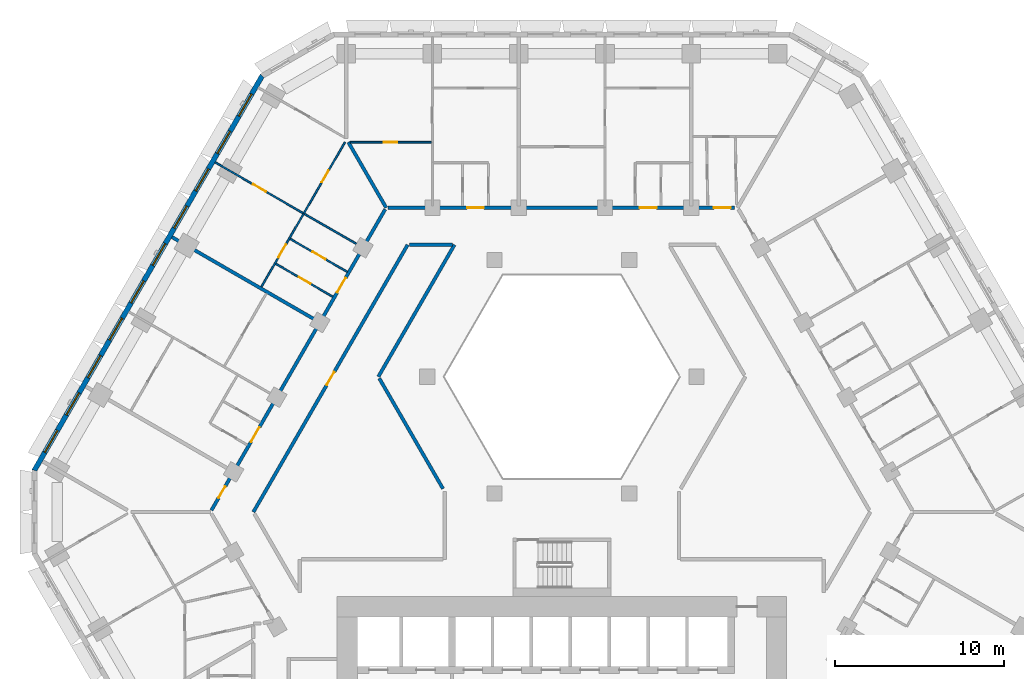
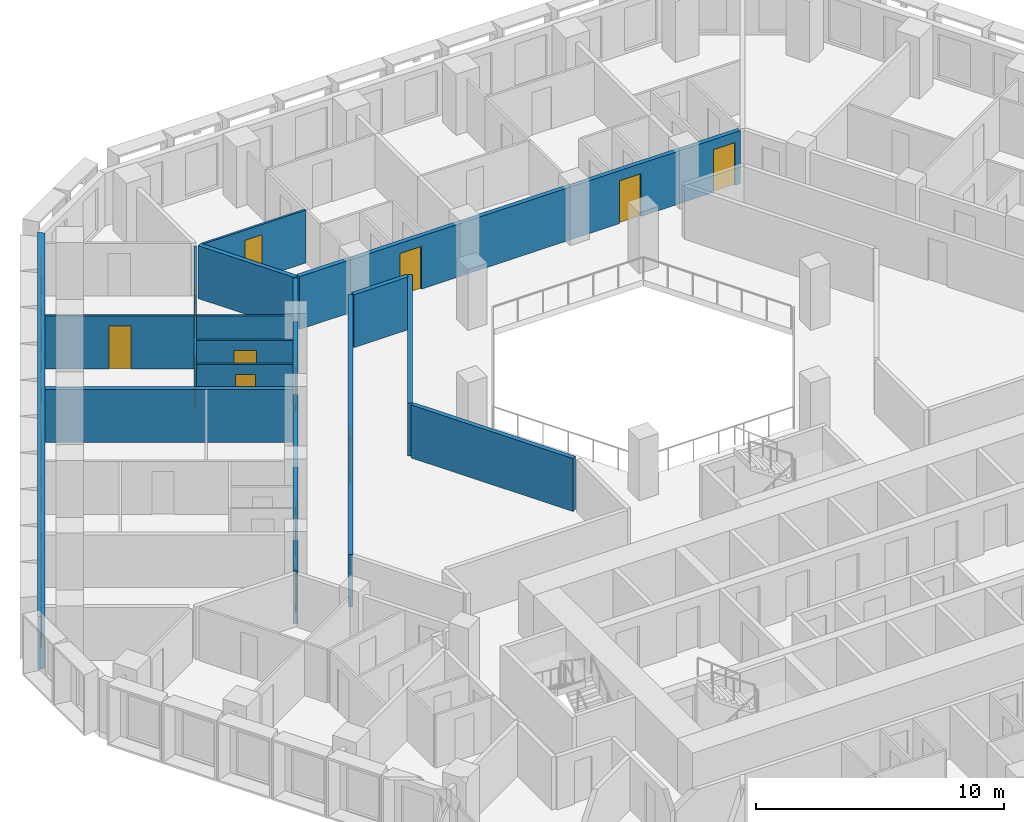
# One storey, part 9 of 21: 15 walls, 13 doors, 10 windows, 23 openings.
"""IFC4 building model written with IfcOpenShell, lengths in metres."""

from ifc_helpers import new_model, si_unit, direction, frame, frame_2d, origin, place, context, subcontext, project, spatial, polyline, rectangle, outline, extrude, material, layer, layer_set, type_object, element, fill, save


model = new_model("IFC4")

# Units and contexts
model_context = context("Model", 3, precision=1e-05, world=origin(), true_north=direction((0.0, 1.0)))
body_context = subcontext(model_context, "Body", "Model", "MODEL_VIEW")
ifc_project = project(units=[si_unit("LENGTHUNIT", "METRE"), si_unit("AREAUNIT", "SQUARE_METRE"), si_unit("VOLUMEUNIT", "CUBIC_METRE"), si_unit("PLANEANGLEUNIT", "RADIAN"), si_unit("MASSUNIT", "GRAM", prefix="KILO")], contexts=[model_context])

# Site, building, storey
site_placement = place(None, origin())
site = spatial("IfcSite", under=ifc_project, at=site_placement, CompositionType="ELEMENT")
building_placement = place(site_placement, origin())
building = spatial("IfcBuilding", under=site, at=building_placement, Name="Beryl Residences", CompositionType="ELEMENT")
storey_placement = place(building_placement, frame((0.0, 0.0, 59.39990234375)))
storey = spatial("IfcBuildingStorey", under=building, at=storey_placement, Name="L18", CompositionType="ELEMENT", Elevation=59.39990234375)

# Wall, openings, windows
ifc_material_1 = material(Name="Composite metal panel with mineral wool insulation")
ifc_layer_1 = layer(ifc_material_1, 0.300048828125)
ifc_layer_set_1 = layer_set([ifc_layer_1], Name="ES1 pale metal composite panel wall 300 mm")
wall_type_1 = type_object("IfcWallType", Name="ES1 pale metal composite panel wall 300 mm", PredefinedType="SOLIDWALL", material=ifc_layer_set_1)
wall_1_placement = place(storey_placement, frame((-17.7099609375, 25.824951171875, 0.0), z_axis=(0.0, 0.0, 1.0), x_axis=(-0.500001938803, -0.866024284413, 0.0)))
wall_1 = element("IfcWall", 1, at=wall_1_placement, inside=storey, type_object=wall_type_1, Name="ES1 external wall L18 NW", PredefinedType="SOLIDWALL", context=body_context, shape_type="SweptSolid", body=[
    extrude(outline(polyline([(0.0, -0.14990234375), (27.02001953125, -0.14990234375), (26.939697265625, 0.14990234375), (0.080322265625, 0.14990234375), (0.0, -0.14990234375)])), origin(), (0.0, 0.0, 1.0), 2.60009765625),
])
opening_1_placement = place(wall_1_placement, frame((1.277099609375, 0.0, 0.14990234375)))
opening_1 = element("IfcOpeningElement", 2, at=opening_1_placement, cuts=wall_1, Name="Opening W1", PredefinedType="OPENING", context=body_context, shape_type="SweptSolid", body=[
    extrude(rectangle(XDim=1.5, YDim=2.10009765625, at=frame_2d((0.75, 1.050048828125))), frame((0.0, 0.159912109375, 0.0), z_axis=(0.0, -1.0, 0.0), x_axis=(1.0, 0.0, 0.0)), (0.0, 0.0, 1.0), 0.320068359375),
])
opening_2_placement = place(wall_1_placement, frame((3.8291015625, 0.0, 0.14990234375)))
opening_2 = element("IfcOpeningElement", 3, at=opening_2_placement, cuts=wall_1, Name="Opening W1", PredefinedType="OPENING", context=body_context, shape_type="SweptSolid", body=[
    extrude(rectangle(XDim=1.5, YDim=2.10009765625, at=frame_2d((0.75, 1.050048828125))), frame((0.0, 0.159912109375, 0.0), z_axis=(0.0, -1.0, 0.0), x_axis=(1.0, 0.0, 0.0)), (0.0, 0.0, 1.0), 0.320068359375),
])
opening_3_placement = place(wall_1_placement, frame((6.382080078125, 0.0, 0.14990234375)))
opening_3 = element("IfcOpeningElement", 4, at=opening_3_placement, cuts=wall_1, Name="Opening W1", PredefinedType="OPENING", context=body_context, shape_type="SweptSolid", body=[
    extrude(rectangle(XDim=1.5, YDim=2.10009765625, at=frame_2d((0.75, 1.050048828125))), frame((0.0, 0.159912109375, 0.0), z_axis=(0.0, -1.0, 0.0), x_axis=(1.0, 0.0, 0.0)), (0.0, 0.0, 1.0), 0.320068359375),
])
opening_4_placement = place(wall_1_placement, frame((8.93310546875, 0.0, 0.14990234375)))
opening_4 = element("IfcOpeningElement", 5, at=opening_4_placement, cuts=wall_1, Name="Opening W1", PredefinedType="OPENING", context=body_context, shape_type="SweptSolid", body=[
    extrude(rectangle(XDim=1.5, YDim=2.10009765625, at=frame_2d((0.75, 1.050048828125))), frame((0.0, 0.159912109375, 0.0), z_axis=(0.0, -1.0, 0.0), x_axis=(1.0, 0.0, 0.0)), (0.0, 0.0, 1.0), 0.320068359375),
])
opening_5_placement = place(wall_1_placement, frame((11.485107421875, 0.0, 0.14990234375)))
opening_5 = element("IfcOpeningElement", 6, at=opening_5_placement, cuts=wall_1, Name="Opening W1", PredefinedType="OPENING", context=body_context, shape_type="SweptSolid", body=[
    extrude(rectangle(XDim=1.5, YDim=2.10009765625, at=frame_2d((0.75, 1.050048828125))), frame((0.0, 0.159912109375, 0.0), z_axis=(0.0, -1.0, 0.0), x_axis=(1.0, 0.0, 0.0)), (0.0, 0.0, 1.0), 0.320068359375),
])
opening_6_placement = place(wall_1_placement, frame((14.037109375, 0.0, 0.14990234375)))
opening_6 = element("IfcOpeningElement", 7, at=opening_6_placement, cuts=wall_1, Name="Opening W1", PredefinedType="OPENING", context=body_context, shape_type="SweptSolid", body=[
    extrude(rectangle(XDim=1.5, YDim=2.10009765625, at=frame_2d((0.75, 1.050048828125))), frame((0.0, 0.159912109375, 0.0), z_axis=(0.0, -1.0, 0.0), x_axis=(1.0, 0.0, 0.0)), (0.0, 0.0, 1.0), 0.320068359375),
])
opening_7_placement = place(wall_1_placement, frame((16.589111328125, 0.0, 0.14990234375)))
opening_7 = element("IfcOpeningElement", 8, at=opening_7_placement, cuts=wall_1, Name="Opening W1", PredefinedType="OPENING", context=body_context, shape_type="SweptSolid", body=[
    extrude(rectangle(XDim=1.5, YDim=2.10009765625, at=frame_2d((0.75, 1.050048828125))), frame((0.0, 0.159912109375, 0.0), z_axis=(0.0, -1.0, 0.0), x_axis=(1.0, 0.0, 0.0)), (0.0, 0.0, 1.0), 0.320068359375),
])
opening_8_placement = place(wall_1_placement, frame((19.14111328125, 0.0, 0.14990234375)))
opening_8 = element("IfcOpeningElement", 9, at=opening_8_placement, cuts=wall_1, Name="Opening W1", PredefinedType="OPENING", context=body_context, shape_type="SweptSolid", body=[
    extrude(rectangle(XDim=1.5, YDim=2.10009765625, at=frame_2d((0.75, 1.050048828125))), frame((0.0, 0.159912109375, 0.0), z_axis=(0.0, -1.0, 0.0), x_axis=(1.0, 0.0, 0.0)), (0.0, 0.0, 1.0), 0.320068359375),
])
opening_9_placement = place(wall_1_placement, frame((21.693115234375, 0.0, 0.14990234375)))
opening_9 = element("IfcOpeningElement", 10, at=opening_9_placement, cuts=wall_1, Name="Opening W1", PredefinedType="OPENING", context=body_context, shape_type="SweptSolid", body=[
    extrude(rectangle(XDim=1.5, YDim=2.10009765625, at=frame_2d((0.75, 1.050048828125))), frame((0.0, 0.159912109375, 0.0), z_axis=(0.0, -1.0, 0.0), x_axis=(1.0, 0.0, 0.0)), (0.0, 0.0, 1.0), 0.320068359375),
])
opening_10_placement = place(wall_1_placement, frame((24.243896484375, 0.0, 0.14990234375)))
opening_10 = element("IfcOpeningElement", 11, at=opening_10_placement, cuts=wall_1, Name="Opening W1", PredefinedType="OPENING", context=body_context, shape_type="SweptSolid", body=[
    extrude(rectangle(XDim=1.5, YDim=2.10009765625, at=frame_2d((0.75, 1.050048828125))), frame((0.0, 0.159912109375, 0.0), z_axis=(0.0, -1.0, 0.0), x_axis=(1.0, 0.0, 0.0)), (0.0, 0.0, 1.0), 0.320068359375),
])
ifc_material_2 = material(Name="Aluminium and clear glass", Category="aluminium")
window_type = type_object("IfcWindowType", Name="W1 cell window 1500 x 2100 mm", PartitioningType="SINGLE_PANEL", PredefinedType="WINDOW", material=ifc_material_2)
window_1_placement = place(opening_1_placement, origin())
window_1 = element("IfcWindow", 12, at=window_1_placement, inside=storey, type_object=window_type, Name="W1 window L18 NW 1", OverallHeight=2.10009765625, OverallWidth=1.5, PartitioningType="SINGLE_PANEL", PredefinedType="WINDOW", context=body_context, shape_type="SweptSolid", body=[
    extrude(rectangle(XDim=1.5, YDim=2.10009765625, at=frame_2d((0.75, 1.050048828125))), frame((0.0, 0.030029296875, 0.0), z_axis=(0.0, -1.0, 0.0), x_axis=(1.0, 0.0, 0.0)), (0.0, 0.0, 1.0), 0.06005859375),
])
fill(opening_1, window_1)
window_2_placement = place(opening_2_placement, origin())
window_2 = element("IfcWindow", 13, at=window_2_placement, inside=storey, type_object=window_type, Name="W1 window L18 NW 2", OverallHeight=2.10009765625, OverallWidth=1.5, PartitioningType="SINGLE_PANEL", PredefinedType="WINDOW", context=body_context, shape_type="SweptSolid", body=[
    extrude(rectangle(XDim=1.5, YDim=2.10009765625, at=frame_2d((0.75, 1.050048828125))), frame((0.0, 0.030029296875, 0.0), z_axis=(0.0, -1.0, 0.0), x_axis=(1.0, 0.0, 0.0)), (0.0, 0.0, 1.0), 0.06005859375),
])
fill(opening_2, window_2)
window_3_placement = place(opening_3_placement, origin())
window_3 = element("IfcWindow", 14, at=window_3_placement, inside=storey, type_object=window_type, Name="W1 window L18 NW 3", OverallHeight=2.10009765625, OverallWidth=1.5, PartitioningType="SINGLE_PANEL", PredefinedType="WINDOW", context=body_context, shape_type="SweptSolid", body=[
    extrude(rectangle(XDim=1.5, YDim=2.10009765625, at=frame_2d((0.75, 1.050048828125))), frame((0.0, 0.030029296875, 0.0), z_axis=(0.0, -1.0, 0.0), x_axis=(1.0, 0.0, 0.0)), (0.0, 0.0, 1.0), 0.06005859375),
])
fill(opening_3, window_3)
window_4_placement = place(opening_4_placement, origin())
window_4 = element("IfcWindow", 15, at=window_4_placement, inside=storey, type_object=window_type, Name="W1 window L18 NW 4", OverallHeight=2.10009765625, OverallWidth=1.5, PartitioningType="SINGLE_PANEL", PredefinedType="WINDOW", context=body_context, shape_type="SweptSolid", body=[
    extrude(rectangle(XDim=1.5, YDim=2.10009765625, at=frame_2d((0.75, 1.050048828125))), frame((0.0, 0.030029296875, 0.0), z_axis=(0.0, -1.0, 0.0), x_axis=(1.0, 0.0, 0.0)), (0.0, 0.0, 1.0), 0.06005859375),
])
fill(opening_4, window_4)
window_5_placement = place(opening_5_placement, origin())
window_5 = element("IfcWindow", 16, at=window_5_placement, inside=storey, type_object=window_type, Name="W1 window L18 NW 5", OverallHeight=2.10009765625, OverallWidth=1.5, PartitioningType="SINGLE_PANEL", PredefinedType="WINDOW", context=body_context, shape_type="SweptSolid", body=[
    extrude(rectangle(XDim=1.5, YDim=2.10009765625, at=frame_2d((0.75, 1.050048828125))), frame((0.0, 0.030029296875, 0.0), z_axis=(0.0, -1.0, 0.0), x_axis=(1.0, 0.0, 0.0)), (0.0, 0.0, 1.0), 0.06005859375),
])
fill(opening_5, window_5)
window_6_placement = place(opening_6_placement, origin())
window_6 = element("IfcWindow", 17, at=window_6_placement, inside=storey, type_object=window_type, Name="W1 window L18 NW 6", OverallHeight=2.10009765625, OverallWidth=1.5, PartitioningType="SINGLE_PANEL", PredefinedType="WINDOW", context=body_context, shape_type="SweptSolid", body=[
    extrude(rectangle(XDim=1.5, YDim=2.10009765625, at=frame_2d((0.75, 1.050048828125))), frame((0.0, 0.030029296875, 0.0), z_axis=(0.0, -1.0, 0.0), x_axis=(1.0, 0.0, 0.0)), (0.0, 0.0, 1.0), 0.06005859375),
])
fill(opening_6, window_6)
window_7_placement = place(opening_7_placement, origin())
window_7 = element("IfcWindow", 18, at=window_7_placement, inside=storey, type_object=window_type, Name="W1 window L18 NW 7", OverallHeight=2.10009765625, OverallWidth=1.5, PartitioningType="SINGLE_PANEL", PredefinedType="WINDOW", context=body_context, shape_type="SweptSolid", body=[
    extrude(rectangle(XDim=1.5, YDim=2.10009765625, at=frame_2d((0.75, 1.050048828125))), frame((0.0, 0.030029296875, 0.0), z_axis=(0.0, -1.0, 0.0), x_axis=(1.0, 0.0, 0.0)), (0.0, 0.0, 1.0), 0.06005859375),
])
fill(opening_7, window_7)
window_8_placement = place(opening_8_placement, origin())
window_8 = element("IfcWindow", 19, at=window_8_placement, inside=storey, type_object=window_type, Name="W1 window L18 NW 8", OverallHeight=2.10009765625, OverallWidth=1.5, PartitioningType="SINGLE_PANEL", PredefinedType="WINDOW", context=body_context, shape_type="SweptSolid", body=[
    extrude(rectangle(XDim=1.5, YDim=2.10009765625, at=frame_2d((0.75, 1.050048828125))), frame((0.0, 0.030029296875, 0.0), z_axis=(0.0, -1.0, 0.0), x_axis=(1.0, 0.0, 0.0)), (0.0, 0.0, 1.0), 0.06005859375),
])
fill(opening_8, window_8)
window_9_placement = place(opening_9_placement, origin())
window_9 = element("IfcWindow", 20, at=window_9_placement, inside=storey, type_object=window_type, Name="W1 window L18 NW 9", OverallHeight=2.10009765625, OverallWidth=1.5, PartitioningType="SINGLE_PANEL", PredefinedType="WINDOW", context=body_context, shape_type="SweptSolid", body=[
    extrude(rectangle(XDim=1.5, YDim=2.10009765625, at=frame_2d((0.75, 1.050048828125))), frame((0.0, 0.030029296875, 0.0), z_axis=(0.0, -1.0, 0.0), x_axis=(1.0, 0.0, 0.0)), (0.0, 0.0, 1.0), 0.06005859375),
])
fill(opening_9, window_9)
window_10_placement = place(opening_10_placement, origin())
window_10 = element("IfcWindow", 21, at=window_10_placement, inside=storey, type_object=window_type, Name="W1 window L18 NW 10", OverallHeight=2.10009765625, OverallWidth=1.5, PartitioningType="SINGLE_PANEL", PredefinedType="WINDOW", context=body_context, shape_type="SweptSolid", body=[
    extrude(rectangle(XDim=1.5, YDim=2.10009765625, at=frame_2d((0.75, 1.050048828125))), frame((0.0, 0.030029296875, 0.0), z_axis=(0.0, -1.0, 0.0), x_axis=(1.0, 0.0, 0.0)), (0.0, 0.0, 1.0), 0.06005859375),
])
fill(opening_10, window_10)

# Wall, opening, door
ifc_material_3 = material(Name="Gypsum board partition on steel studs", Category="steel")
ifc_layer_2 = layer(ifc_material_3, 0.10009765625)
ifc_layer_set_2 = layer_set([ifc_layer_2], Name="PT1 partition 100 mm gypsum board on steel studs")
wall_type_2 = type_object("IfcWallType", Name="PT1 partition 100 mm gypsum board on steel studs", PredefinedType="PARTITIONING", material=ifc_layer_set_2)
wall_2_placement = place(storey_placement, frame((-16.923095703125, 14.680908203125, 0.0), z_axis=(0.0, 0.0, 1.0), x_axis=(0.866087525071, -0.499892387336, 0.0)))
wall_2 = element("IfcWall", 22, at=wall_2_placement, inside=storey, type_object=wall_type_2, Name="Wall PT1 L18 023", PredefinedType="PARTITIONING", context=body_context, shape_type="SweptSolid", body=[
    extrude(rectangle(XDim=3.896728515625, YDim=0.10009765625, at=frame_2d((1.9482421875, 0.0))), origin(), (0.0, 0.0, 1.0), 2.60009765625),
])
opening_11_placement = place(wall_2_placement, frame((1.573974609375, 0.0, 0.0)))
opening_11 = element("IfcOpeningElement", 23, at=opening_11_placement, cuts=wall_2, Name="Opening D0332", PredefinedType="OPENING", context=body_context, shape_type="SweptSolid", body=[
    extrude(rectangle(XDim=0.800048828125, YDim=2.10009765625, at=frame_2d((0.39990234375, 1.050048828125))), frame((0.0, 0.06005859375, 0.0), z_axis=(0.0, -1.0, 0.0), x_axis=(1.0, 0.0, 0.0)), (0.0, 0.0, 1.0), 0.1201171875),
])
ifc_material_4 = material(Name="Timber door leaf", Category="wood")
door_type_1 = type_object("IfcDoorType", Name="D3 bathroom door 800 x 2100 mm", OperationType="SINGLE_SWING_LEFT", PredefinedType="DOOR", material=ifc_material_4)
door_1_placement = place(opening_11_placement, origin())
door_1 = element("IfcDoor", 24, at=door_1_placement, inside=storey, type_object=door_type_1, Name="Door D0332 L18 001", OperationType="SINGLE_SWING_RIGHT", OverallHeight=2.10009765625, OverallWidth=0.800048828125, PredefinedType="DOOR", context=body_context, shape_type="SweptSolid", body=[
    extrude(rectangle(XDim=0.800048828125, YDim=2.10009765625, at=frame_2d((0.39990234375, 1.050048828125))), frame((0.0, 0.02490234375, 0.0), z_axis=(0.0, -1.0, 0.0), x_axis=(1.0, 0.0, 0.0)), (0.0, 0.0, 1.0), 0.050048828125),
])
fill(opening_11, door_1)

wall_3_placement = place(storey_placement, frame((-16.072998046875, 16.154052734375, 0.0), z_axis=(0.0, 0.0, 1.0), x_axis=(0.865979019114, -0.500080332001, 0.0)))
wall_3 = element("IfcWall", 25, at=wall_3_placement, inside=storey, type_object=wall_type_2, Name="Wall PT1 L18 026", PredefinedType="PARTITIONING", context=body_context, shape_type="SweptSolid", body=[
    extrude(rectangle(XDim=3.897216796875, YDim=0.10009765625, at=frame_2d((1.94873046875, 0.0))), origin(), (0.0, 0.0, 1.0), 2.60009765625),
])
opening_12_placement = place(wall_3_placement, frame((1.52392578125, 0.0, 0.0)))
opening_12 = element("IfcOpeningElement", 26, at=opening_12_placement, cuts=wall_3, Name="Opening D0333", PredefinedType="OPENING", context=body_context, shape_type="SweptSolid", body=[
    extrude(rectangle(XDim=0.89990234375, YDim=2.10009765625, at=frame_2d((0.449951171875, 1.050048828125))), frame((0.0, 0.06005859375, 0.0), z_axis=(0.0, -1.0, 0.0), x_axis=(1.0, 0.0, 0.0)), (0.0, 0.0, 1.0), 0.1201171875),
])
ifc_material_5 = material(Name="Timber door leaf", Category="wood")
door_type_2 = type_object("IfcDoorType", Name="D2 room door 900 x 2100 mm", OperationType="SINGLE_SWING_LEFT", PredefinedType="DOOR", material=ifc_material_5)
door_2_placement = place(opening_12_placement, origin())
door_2 = element("IfcDoor", 27, at=door_2_placement, inside=storey, type_object=door_type_2, Name="Door D0333 L18 001", OperationType="SINGLE_SWING_LEFT", OverallHeight=2.10009765625, OverallWidth=0.89990234375, PredefinedType="DOOR", context=body_context, shape_type="SweptSolid", body=[
    extrude(rectangle(XDim=0.89990234375, YDim=2.10009765625, at=frame_2d((0.449951171875, 1.050048828125))), frame((0.0, 0.02490234375, 0.0), z_axis=(0.0, -1.0, 0.0), x_axis=(1.0, 0.0, 0.0)), (0.0, 0.0, 1.0), 0.050048828125),
])
fill(opening_12, door_2)

wall_4_placement = place(storey_placement, frame((-20.508056640625, 20.678955078125, 0.0), z_axis=(0.0, 0.0, 1.0), x_axis=(0.866047370643, -0.499961950354, 0.0)))
wall_4 = element("IfcWall", 28, at=wall_4_placement, inside=storey, type_object=wall_type_2, Name="Wall PT1 L18 027", PredefinedType="PARTITIONING", context=body_context, shape_type="SweptSolid", body=[
    extrude(rectangle(XDim=10.000732421875, YDim=0.10009765625, at=frame_2d((5.00048828125, 0.0))), origin(), (0.0, 0.0, 1.0), 2.60009765625),
])
opening_13_placement = place(wall_4_placement, frame((2.575927734375, 0.0, 0.0)))
opening_13 = element("IfcOpeningElement", 29, at=opening_13_placement, cuts=wall_4, Name="Opening D0335", PredefinedType="OPENING", context=body_context, shape_type="SweptSolid", body=[
    extrude(rectangle(XDim=0.89990234375, YDim=2.10009765625, at=frame_2d((0.449951171875, 1.050048828125))), frame((0.0, 0.06005859375, 0.0), z_axis=(0.0, -1.0, 0.0), x_axis=(1.0, 0.0, 0.0)), (0.0, 0.0, 1.0), 0.1201171875),
])
door_3_placement = place(opening_13_placement, origin())
door_3 = element("IfcDoor", 30, at=door_3_placement, inside=storey, type_object=door_type_2, Name="Door D0335 L18 001", OperationType="SINGLE_SWING_LEFT", OverallHeight=2.10009765625, OverallWidth=0.89990234375, PredefinedType="DOOR", context=body_context, shape_type="SweptSolid", body=[
    extrude(rectangle(XDim=0.89990234375, YDim=2.10009765625, at=frame_2d((0.449951171875, 1.050048828125))), frame((0.0, 0.02490234375, 0.0), z_axis=(0.0, -1.0, 0.0), x_axis=(1.0, 0.0, 0.0)), (0.0, 0.0, 1.0), 0.050048828125),
])
fill(opening_13, door_3)

wall_5_placement = place(storey_placement, frame((-12.512939453125, 21.8740234375, 0.0), z_axis=(0.0, 0.0, 1.0), x_axis=(1.0, 0.0, 0.0)))
wall_5 = element("IfcWall", 31, at=wall_5_placement, inside=storey, type_object=wall_type_2, Name="Wall PT1 L18 040", PredefinedType="PARTITIONING", context=body_context, shape_type="SweptSolid", body=[
    extrude(rectangle(XDim=4.805908203125, YDim=0.10009765625, at=frame_2d((2.40283203125, 0.0))), origin(), (0.0, 0.0, 1.0), 2.60009765625),
])
opening_14_placement = place(wall_5_placement, frame((1.969970703125, 0.0, 0.0)))
opening_14 = element("IfcOpeningElement", 32, at=opening_14_placement, cuts=wall_5, Name="Opening D0330", PredefinedType="OPENING", context=body_context, shape_type="SweptSolid", body=[
    extrude(rectangle(XDim=0.800048828125, YDim=2.10009765625, at=frame_2d((0.39990234375, 1.050048828125))), frame((0.0, 0.06005859375, 0.0), z_axis=(0.0, -1.0, 0.0), x_axis=(1.0, 0.0, 0.0)), (0.0, 0.0, 1.0), 0.1201171875),
])
door_4_placement = place(opening_14_placement, origin())
door_4 = element("IfcDoor", 33, at=door_4_placement, inside=storey, type_object=door_type_1, Name="Door D0330 L18 001", OperationType="SINGLE_SWING_RIGHT", OverallHeight=2.10009765625, OverallWidth=0.800048828125, PredefinedType="DOOR", context=body_context, shape_type="SweptSolid", body=[
    extrude(rectangle(XDim=0.800048828125, YDim=2.10009765625, at=frame_2d((0.39990234375, 1.050048828125))), frame((0.0, 0.02490234375, 0.0), z_axis=(0.0, -1.0, 0.0), x_axis=(1.0, 0.0, 0.0)), (0.0, 0.0, 1.0), 0.050048828125),
])
fill(opening_14, door_4)

wall_6_placement = place(storey_placement, frame((-17.76806640625, 13.319091796875, 0.0), z_axis=(0.0, 0.0, 1.0), x_axis=(0.499958946799, 0.866049104564, 0.0)))
wall_6 = element("IfcWall", 34, at=wall_6_placement, inside=storey, type_object=wall_type_2, Name="Wall PT1 L18 047", PredefinedType="PARTITIONING", context=body_context, shape_type="SweptSolid", body=[
    extrude(rectangle(XDim=5.00439453125, YDim=0.10009765625, at=frame_2d((2.502197265625, 0.0))), origin(), (0.0, 0.0, 1.0), 2.60009765625),
])
opening_15_placement = place(wall_6_placement, frame((2.001953125, 0.0, 0.0)))
opening_15 = element("IfcOpeningElement", 35, at=opening_15_placement, cuts=wall_6, Name="Opening D0334", PredefinedType="OPENING", context=body_context, shape_type="SweptSolid", body=[
    extrude(rectangle(XDim=0.89990234375, YDim=2.10009765625, at=frame_2d((0.449951171875, 1.050048828125))), frame((0.0, 0.06005859375, 0.0), z_axis=(0.0, -1.0, 0.0), x_axis=(1.0, 0.0, 0.0)), (0.0, 0.0, 1.0), 0.1201171875),
])
door_5_placement = place(opening_15_placement, origin())
door_5 = element("IfcDoor", 36, at=door_5_placement, inside=storey, type_object=door_type_2, Name="Door D0334 L18 001", OperationType="SINGLE_SWING_RIGHT", OverallHeight=2.10009765625, OverallWidth=0.89990234375, PredefinedType="DOOR", context=body_context, shape_type="SweptSolid", body=[
    extrude(rectangle(XDim=0.89990234375, YDim=2.10009765625, at=frame_2d((0.449951171875, 1.050048828125))), frame((0.0, 0.02490234375, 0.0), z_axis=(0.0, -1.0, 0.0), x_axis=(1.0, 0.0, 0.0)), (0.0, 0.0, 1.0), 0.050048828125),
])
fill(opening_15, door_5)

wall_7_placement = place(storey_placement, frame((-15.26611328125, 17.653076171875, 0.0), z_axis=(0.0, 0.0, 1.0), x_axis=(0.500007182864, 0.866021256716, 0.0)))
wall_7 = element("IfcWall", 37, at=wall_7_placement, inside=storey, type_object=wall_type_2, Name="Wall PT1 L18 080", PredefinedType="PARTITIONING", context=body_context, shape_type="SweptSolid", body=[
    extrude(rectangle(XDim=4.8740234375, YDim=0.10009765625, at=frame_2d((2.43701171875, 0.0))), origin(), (0.0, 0.0, 1.0), 2.60009765625),
])
opening_16_placement = place(wall_7_placement, frame((2.136962890625, 0.0, 0.0)))
opening_16 = element("IfcOpeningElement", 38, at=opening_16_placement, cuts=wall_7, Name="Opening D0337", PredefinedType="OPENING", context=body_context, shape_type="SweptSolid", body=[
    extrude(rectangle(XDim=0.800048828125, YDim=2.10009765625, at=frame_2d((0.39990234375, 1.050048828125))), frame((0.0, 0.06005859375, 0.0), z_axis=(0.0, -1.0, 0.0), x_axis=(1.0, 0.0, 0.0)), (0.0, 0.0, 1.0), 0.1201171875),
])
door_6_placement = place(opening_16_placement, origin())
door_6 = element("IfcDoor", 39, at=door_6_placement, inside=storey, type_object=door_type_1, Name="Door D0337 L18 001", OperationType="SINGLE_SWING_LEFT", OverallHeight=2.10009765625, OverallWidth=0.800048828125, PredefinedType="DOOR", context=body_context, shape_type="SweptSolid", body=[
    extrude(rectangle(XDim=0.800048828125, YDim=2.10009765625, at=frame_2d((0.39990234375, 1.050048828125))), frame((0.0, 0.02490234375, 0.0), z_axis=(0.0, -1.0, 0.0), x_axis=(1.0, 0.0, 0.0)), (0.0, 0.0, 1.0), 0.050048828125),
])
fill(opening_16, door_6)

# Walls
ifc_material_6 = material(Name="Acoustic double stud gypsum board wall")
ifc_layer_3 = layer(ifc_material_6, 0.199951171875)
ifc_layer_set_3 = layer_set([ifc_layer_3], Name="PT3 party wall 200 mm acoustic double stud")
wall_type_3 = type_object("IfcWallType", Name="PT3 party wall 200 mm acoustic double stud", PredefinedType="PARTITIONING", material=ifc_layer_set_3)
wall_8_placement = place(storey_placement, frame((-12.62890625, 21.8740234375, 0.0), z_axis=(0.0, 0.0, 1.0), x_axis=(0.500024801635, -0.86601108408, 0.0)))
element("IfcWall", 40, at=wall_8_placement, inside=storey, type_object=wall_type_3, Name="Wall PT3 L18 001", PredefinedType="PARTITIONING", context=body_context, shape_type="SweptSolid", body=[
    extrude(rectangle(XDim=4.473388671875, YDim=0.199951171875, at=frame_2d((2.23681640625, 0.0))), origin(), (0.0, 0.0, 1.0), 2.60009765625),
])
wall_9_placement = place(storey_placement, frame((-23.06005859375, 16.259033203125, 0.0), z_axis=(0.0, 0.0, 1.0), x_axis=(0.866047370643, -0.499961950354, 0.0)))
element("IfcWall", 41, at=wall_9_placement, inside=storey, type_object=wall_type_3, Name="Wall PT3 L18 012", PredefinedType="PARTITIONING", context=body_context, shape_type="SweptSolid", body=[
    extrude(rectangle(XDim=10.000732421875, YDim=0.199951171875, at=frame_2d((5.00048828125, 0.0))), origin(), (0.0, 0.0, 1.0), 2.60009765625),
])
ifc_material_7 = material(Name="Double stud gypsum board wall")
ifc_layer_4 = layer(ifc_material_7, 0.199951171875)
ifc_layer_set_4 = layer_set([ifc_layer_4], Name="PT4 corridor wall 200 mm double stud")
wall_type_4 = type_object("IfcWallType", Name="PT4 corridor wall 200 mm double stud", PredefinedType="PARTITIONING", material=ifc_layer_set_4)
wall_10_placement = place(storey_placement, frame((-10.7958984375, 7.89990234375, 0.0), z_axis=(0.0, 0.0, 1.0), x_axis=(0.499954271211, -0.866051803703, 0.0)))
element("IfcWall", 42, at=wall_10_placement, inside=storey, type_object=wall_type_4, Name="Wall PT4 L18 001", PredefinedType="PARTITIONING", context=body_context, shape_type="SweptSolid", body=[
    extrude(rectangle(XDim=7.536376953125, YDim=0.199951171875, at=frame_2d((3.76806640625, 0.0))), origin(), (0.0, 0.0, 1.0), 2.60009765625),
])
wall_11_placement = place(storey_placement, frame((-9.006103515625, 15.800048828125, 0.0), z_axis=(0.0, 0.0, 1.0), x_axis=(1.0, 0.0, 0.0)))
element("IfcWall", 43, at=wall_11_placement, inside=storey, type_object=wall_type_4, Name="Wall PT4 L18 015", PredefinedType="PARTITIONING", context=body_context, shape_type="SweptSolid", body=[
    extrude(rectangle(XDim=2.5400390625, YDim=0.199951171875, at=frame_2d((1.27001953125, 0.0))), origin(), (0.0, 0.0, 1.0), 2.60009765625),
])

# Wall, openings, doors
wall_12_placement = place(storey_placement, frame((-10.27587890625, 18.0, 0.0), z_axis=(0.0, 0.0, 1.0), x_axis=(1.0, 0.0, 0.0)))
wall_12 = element("IfcWall", 44, at=wall_12_placement, inside=storey, type_object=wall_type_4, Name="Wall PT4 L18 017", PredefinedType="PARTITIONING", context=body_context, shape_type="SweptSolid", body=[
    extrude(rectangle(XDim=20.5, YDim=0.199951171875, at=frame_2d((10.25, 0.0))), origin(), (0.0, 0.0, 1.0), 2.60009765625),
])
opening_17_placement = place(wall_12_placement, frame((19.263916015625, 0.0, 0.0)))
opening_17 = element("IfcOpeningElement", 45, at=opening_17_placement, cuts=wall_12, Name="Opening D0315", PredefinedType="OPENING", context=body_context, shape_type="SweptSolid", body=[
    extrude(rectangle(XDim=1.0, YDim=2.10009765625, at=frame_2d((0.5, 1.050048828125))), frame((0.0, 0.10986328125, 0.0), z_axis=(0.0, -1.0, 0.0), x_axis=(1.0, 0.0, 0.0)), (0.0, 0.0, 1.0), 0.219970703125),
])
opening_18_placement = place(wall_12_placement, frame((14.87890625, 0.0, 0.0)))
opening_18 = element("IfcOpeningElement", 46, at=opening_18_placement, cuts=wall_12, Name="Opening D0319", PredefinedType="OPENING", context=body_context, shape_type="SweptSolid", body=[
    extrude(rectangle(XDim=1.0, YDim=2.10009765625, at=frame_2d((0.5, 1.050048828125))), frame((0.0, 0.10986328125, 0.0), z_axis=(0.0, -1.0, 0.0), x_axis=(1.0, 0.0, 0.0)), (0.0, 0.0, 1.0), 0.219970703125),
])
opening_19_placement = place(wall_12_placement, frame((4.6708984375, 0.0, 0.0)))
opening_19 = element("IfcOpeningElement", 47, at=opening_19_placement, cuts=wall_12, Name="Opening D0325", PredefinedType="OPENING", context=body_context, shape_type="SweptSolid", body=[
    extrude(rectangle(XDim=1.0, YDim=2.10009765625, at=frame_2d((0.5, 1.050048828125))), frame((0.0, 0.10986328125, 0.0), z_axis=(0.0, -1.0, 0.0), x_axis=(1.0, 0.0, 0.0)), (0.0, 0.0, 1.0), 0.219970703125),
])
ifc_material_8 = material(Name="Timber door leaf", Category="wood")
door_type_3 = type_object("IfcDoorType", Name="D1 flat entrance door 1000 x 2100 mm", OperationType="SINGLE_SWING_LEFT", PredefinedType="DOOR", material=ifc_material_8)
door_7_placement = place(opening_17_placement, origin())
door_7 = element("IfcDoor", 48, at=door_7_placement, inside=storey, type_object=door_type_3, Name="Door D0315 L18 001", OperationType="SINGLE_SWING_LEFT", OverallHeight=2.10009765625, OverallWidth=1.0, PredefinedType="DOOR", context=body_context, shape_type="SweptSolid", body=[
    extrude(rectangle(XDim=1.0, YDim=2.10009765625, at=frame_2d((0.5, 1.050048828125))), frame((0.0, 0.02490234375, 0.0), z_axis=(0.0, -1.0, 0.0), x_axis=(1.0, 0.0, 0.0)), (0.0, 0.0, 1.0), 0.050048828125),
])
fill(opening_17, door_7)
door_8_placement = place(opening_18_placement, origin())
door_8 = element("IfcDoor", 49, at=door_8_placement, inside=storey, type_object=door_type_3, Name="Door D0319 L18 001", OperationType="SINGLE_SWING_LEFT", OverallHeight=2.10009765625, OverallWidth=1.0, PredefinedType="DOOR", context=body_context, shape_type="SweptSolid", body=[
    extrude(rectangle(XDim=1.0, YDim=2.10009765625, at=frame_2d((0.5, 1.050048828125))), frame((0.0, 0.02490234375, 0.0), z_axis=(0.0, -1.0, 0.0), x_axis=(1.0, 0.0, 0.0)), (0.0, 0.0, 1.0), 0.050048828125),
])
fill(opening_18, door_8)
door_9_placement = place(opening_19_placement, origin())
door_9 = element("IfcDoor", 50, at=door_9_placement, inside=storey, type_object=door_type_3, Name="Door D0325 L18 001", OperationType="SINGLE_SWING_LEFT", OverallHeight=2.10009765625, OverallWidth=1.0, PredefinedType="DOOR", context=body_context, shape_type="SweptSolid", body=[
    extrude(rectangle(XDim=1.0, YDim=2.10009765625, at=frame_2d((0.5, 1.050048828125))), frame((0.0, 0.02490234375, 0.0), z_axis=(0.0, -1.0, 0.0), x_axis=(1.0, 0.0, 0.0)), (0.0, 0.0, 1.0), 0.050048828125),
])
fill(opening_19, door_9)

# Wall
wall_13_placement = place(storey_placement, frame((-10.85400390625, 8.0, 0.0), z_axis=(0.0, 0.0, 1.0), x_axis=(0.499964141897, 0.86604610548, 0.0)))
element("IfcWall", 51, at=wall_13_placement, inside=storey, type_object=wall_type_4, Name="Wall PT4 L18 022", PredefinedType="PARTITIONING", context=body_context, shape_type="SweptSolid", body=[
    extrude(rectangle(XDim=9.006591796875, YDim=0.199951171875, at=frame_2d((4.50341796875, 0.0))), origin(), (0.0, 0.0, 1.0), 2.60009765625),
])

# Wall, opening, door
wall_14_placement = place(storey_placement, frame((-18.243896484375, -0.0009765625, 0.0), z_axis=(0.0, 0.0, 1.0), x_axis=(0.499962999376, 0.866046765051, 0.0)))
wall_14 = element("IfcWall", 52, at=wall_14_placement, inside=storey, type_object=wall_type_4, Name="Wall PT4 L18 023", PredefinedType="PARTITIONING", context=body_context, shape_type="SweptSolid", body=[
    extrude(rectangle(XDim=18.2451171875, YDim=0.199951171875, at=frame_2d((9.12255859375, 0.0))), origin(), (0.0, 0.0, 1.0), 2.60009765625),
])
opening_20_placement = place(wall_14_placement, frame((8.672119140625, 0.0, 0.0)))
opening_20 = element("IfcOpeningElement", 53, at=opening_20_placement, cuts=wall_14, Name="Opening D0381", PredefinedType="OPENING", context=body_context, shape_type="SweptSolid", body=[
    extrude(rectangle(XDim=0.89990234375, YDim=2.10009765625, at=frame_2d((0.449951171875, 1.050048828125))), frame((0.0, 0.10986328125, 0.0), z_axis=(0.0, -1.0, 0.0), x_axis=(1.0, 0.0, 0.0)), (0.0, 0.0, 1.0), 0.219970703125),
])
door_10_placement = place(opening_20_placement, origin())
door_10 = element("IfcDoor", 54, at=door_10_placement, inside=storey, type_object=door_type_2, Name="Door D0381 L18 001", OperationType="SINGLE_SWING_LEFT", OverallHeight=2.10009765625, OverallWidth=0.89990234375, PredefinedType="DOOR", context=body_context, shape_type="SweptSolid", body=[
    extrude(rectangle(XDim=0.89990234375, YDim=2.10009765625, at=frame_2d((0.449951171875, 1.050048828125))), frame((0.0, 0.02490234375, 0.0), z_axis=(0.0, -1.0, 0.0), x_axis=(1.0, 0.0, 0.0)), (0.0, 0.0, 1.0), 0.050048828125),
])
fill(opening_20, door_10)

# Wall, openings, doors
wall_15_placement = place(storey_placement, frame((-20.72705078125, 0.09912109375, 0.0), z_axis=(0.0, 0.0, 1.0), x_axis=(0.499993204491, 0.866029327138, 0.0)))
wall_15 = element("IfcWall", 55, at=wall_15_placement, inside=storey, type_object=wall_type_4, Name="Wall PT4 L18 024", PredefinedType="PARTITIONING", context=body_context, shape_type="SweptSolid", body=[
    extrude(rectangle(XDim=20.554443359375, YDim=0.199951171875, at=frame_2d((10.27734375, 0.0))), origin(), (0.0, 0.0, 1.0), 2.60009765625),
])
opening_21_placement = place(wall_15_placement, frame((14.8798828125, 0.0, 0.0)))
opening_21 = element("IfcOpeningElement", 56, at=opening_21_placement, cuts=wall_15, Name="Opening D0331", PredefinedType="OPENING", context=body_context, shape_type="SweptSolid", body=[
    extrude(rectangle(XDim=1.0, YDim=2.10009765625, at=frame_2d((0.5, 1.050048828125))), frame((0.0, 0.10986328125, 0.0), z_axis=(0.0, -1.0, 0.0), x_axis=(1.0, 0.0, 0.0)), (0.0, 0.0, 1.0), 0.219970703125),
])
opening_22_placement = place(wall_15_placement, frame((4.673095703125, 0.0, 0.0)))
opening_22 = element("IfcOpeningElement", 57, at=opening_22_placement, cuts=wall_15, Name="Opening D0338", PredefinedType="OPENING", context=body_context, shape_type="SweptSolid", body=[
    extrude(rectangle(XDim=1.0, YDim=2.10009765625, at=frame_2d((0.5, 1.050048828125))), frame((0.0, 0.10986328125, 0.0), z_axis=(0.0, -1.0, 0.0), x_axis=(1.0, 0.0, 0.0)), (0.0, 0.0, 1.0), 0.219970703125),
])
opening_23_placement = place(wall_15_placement, frame((0.837890625, 0.0, 0.0)))
opening_23 = element("IfcOpeningElement", 58, at=opening_23_placement, cuts=wall_15, Name="Opening D0344", PredefinedType="OPENING", context=body_context, shape_type="SweptSolid", body=[
    extrude(rectangle(XDim=0.800048828125, YDim=2.10009765625, at=frame_2d((0.39990234375, 1.050048828125))), frame((0.0, 0.10986328125, 0.0), z_axis=(0.0, -1.0, 0.0), x_axis=(1.0, 0.0, 0.0)), (0.0, 0.0, 1.0), 0.219970703125),
])
door_11_placement = place(opening_21_placement, origin())
door_11 = element("IfcDoor", 59, at=door_11_placement, inside=storey, type_object=door_type_3, Name="Door D0331 L18 001", OperationType="SINGLE_SWING_LEFT", OverallHeight=2.10009765625, OverallWidth=1.0, PredefinedType="DOOR", context=body_context, shape_type="SweptSolid", body=[
    extrude(rectangle(XDim=1.0, YDim=2.10009765625, at=frame_2d((0.5, 1.050048828125))), frame((0.0, 0.02490234375, 0.0), z_axis=(0.0, -1.0, 0.0), x_axis=(1.0, 0.0, 0.0)), (0.0, 0.0, 1.0), 0.050048828125),
])
fill(opening_21, door_11)
door_12_placement = place(opening_22_placement, origin())
door_12 = element("IfcDoor", 60, at=door_12_placement, inside=storey, type_object=door_type_3, Name="Door D0338 L18 001", OperationType="SINGLE_SWING_RIGHT", OverallHeight=2.10009765625, OverallWidth=1.0, PredefinedType="DOOR", context=body_context, shape_type="SweptSolid", body=[
    extrude(rectangle(XDim=1.0, YDim=2.10009765625, at=frame_2d((0.5, 1.050048828125))), frame((0.0, 0.02490234375, 0.0), z_axis=(0.0, -1.0, 0.0), x_axis=(1.0, 0.0, 0.0)), (0.0, 0.0, 1.0), 0.050048828125),
])
fill(opening_22, door_12)
door_13_placement = place(opening_23_placement, origin())
door_13 = element("IfcDoor", 61, at=door_13_placement, inside=storey, type_object=door_type_1, Name="Door D0344 L18 001", OperationType="SINGLE_SWING_RIGHT", OverallHeight=2.10009765625, OverallWidth=0.800048828125, PredefinedType="DOOR", context=body_context, shape_type="SweptSolid", body=[
    extrude(rectangle(XDim=0.800048828125, YDim=2.10009765625, at=frame_2d((0.39990234375, 1.050048828125))), frame((0.0, 0.02490234375, 0.0), z_axis=(0.0, -1.0, 0.0), x_axis=(1.0, 0.0, 0.0)), (0.0, 0.0, 1.0), 0.050048828125),
])
fill(opening_23, door_13)

save(model, "model.ifc")
